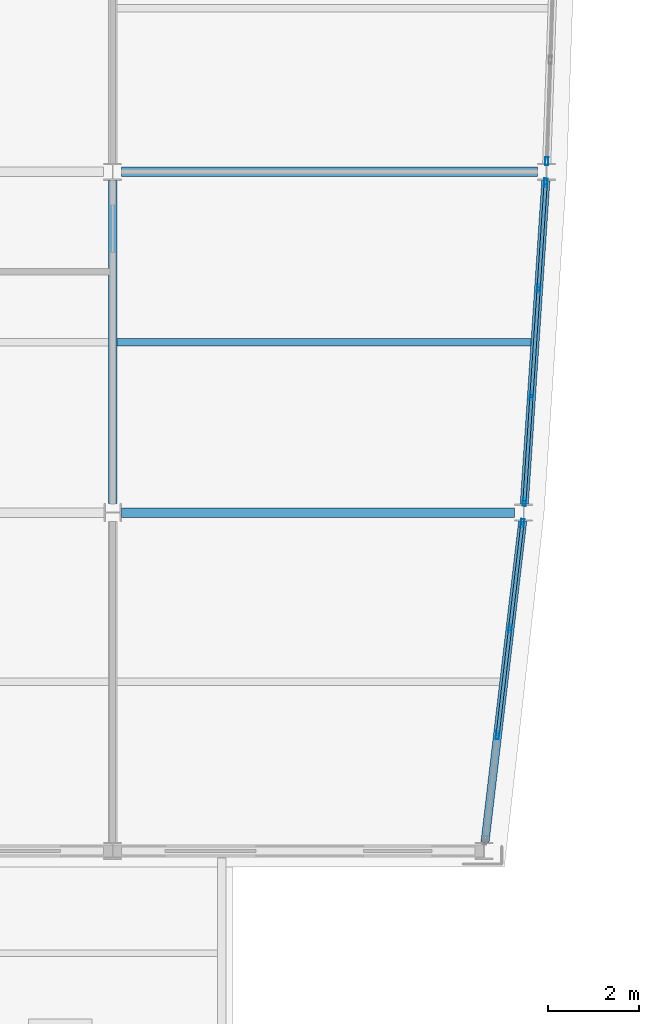
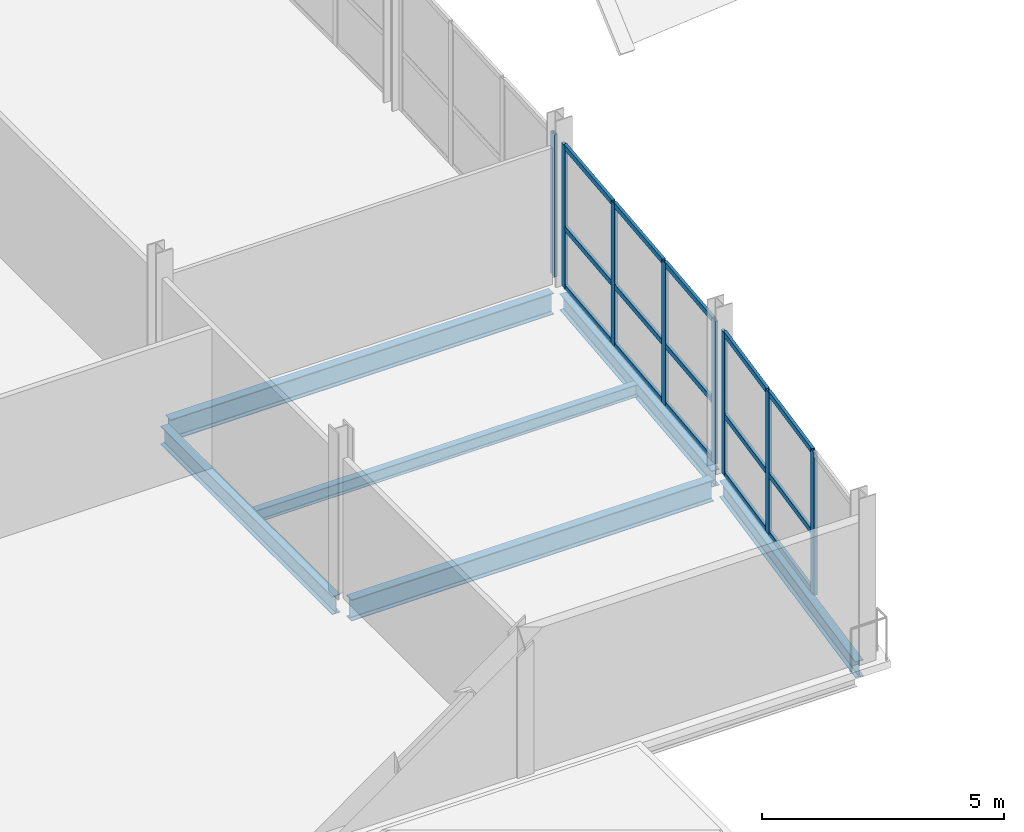
# One storey, part 16 of 65: 23 members, 6 beams, 3 elements without a shape of their own.
"""IFC4 building model written with IfcOpenShell, lengths in metres."""

from ifc_helpers import new_model, si_unit, direction, frame, origin, origin_2d, place, context, subcontext, project, spatial, hollow_rectangle, i_section, extrude, material, layer, layer_set, material_profile, profile_set, type_object, element, aggregate, save


model = new_model("IFC4")

# Units and contexts
model_context = context("Model", 3, precision=1e-05, world=origin(), true_north=direction((0.0, 1.0)))
body_context = subcontext(model_context, "Body", "Model", "MODEL_VIEW")
ifc_project = project(units=[si_unit("LENGTHUNIT", "METRE"), si_unit("AREAUNIT", "SQUARE_METRE"), si_unit("VOLUMEUNIT", "CUBIC_METRE"), si_unit("PLANEANGLEUNIT", "RADIAN"), si_unit("MASSUNIT", "GRAM", prefix="KILO")], contexts=[model_context])

# Site, building, storey
site_placement = place(None, origin())
site = spatial("IfcSite", under=ifc_project, at=site_placement, CompositionType="ELEMENT")
building_placement = place(site_placement, origin())
building = spatial("IfcBuilding", under=site, at=building_placement, Name="Quillay Park Conservatory", CompositionType="ELEMENT")
storey_placement = place(building_placement, frame((0.0, 0.0, 14.10009765625)))
storey = spatial("IfcBuildingStorey", under=building, at=storey_placement, Name="L03", CompositionType="ELEMENT", Elevation=14.10009765625)

# Beam
ifc_material_1 = material(Name="Steel ASTM A992 Grade 50", Category="steel")
ifc_material_profile_1 = material_profile(ifc_material_1, i_section(OverallWidth=0.166015625, OverallDepth=0.31298828125, WebThickness=0.006591796875, FlangeThickness=0.01123046875, FilletRadius=0.010009765625, at=origin_2d()), Name="W310x45")
ifc_profile_set_1 = profile_set([ifc_material_profile_1], Name="Steel ASTM A992 Grade 50")
beam_type_1 = type_object("IfcBeamType", Name="COMPOSITE FLOOR JOIST W310 X45", PredefinedType="JOIST", material=ifc_profile_set_1)
beam_1_placement = place(storey_placement, frame((19.845947265625, 74.25, -0.341552734375), z_axis=(1.0, 0.0, 0.0), x_axis=(0.0, 1.0, 0.0)))
element("IfcBeam", 1, at=beam_1_placement, inside=storey, type_object=beam_type_1, Name="L03 beam BM-J-0278", PredefinedType="JOIST", context=body_context, shape_type="SweptSolid", body=[
    extrude(i_section(OverallWidth=0.166015625, OverallDepth=0.31298828125, WebThickness=0.006591796875, FlangeThickness=0.01123046875, FilletRadius=0.010009765625, at=origin_2d()), origin(), (0.0, 0.0, 1.0), 9.114013671875),
])

# Curtain wall, members
ifc_material_2 = material(Name="Thermally Broken Anodised Aluminium 6063-T6", Category="aluminium")
ifc_layer = layer(ifc_material_2, 0.179931640625)
ifc_layer_set = layer_set([ifc_layer], Name="UNITISED CURTAIN WALL TOWER (Thermally Broken Anodised Aluminium 6063-T6)")
curtain_wall_type = type_object("IfcCurtainWallType", Name="UNITISED CURTAIN WALL TOWER", PredefinedType="USERDEFINED", material=ifc_layer_set)
curtain_wall_1_placement = place(storey_placement, origin())
curtain_wall_1 = element("IfcCurtainWall", 2, at=curtain_wall_1_placement, inside=storey, type_object=curtain_wall_type, Name="L03 Unitised Curtain Wall 028", ObjectType="UNITISED CURTAIN WALL", PredefinedType="USERDEFINED")
ifc_material_3 = material(Name="Thermally Broken Anodised Aluminium 6063-T6", Category="aluminium")
ifc_material_profile_2 = material_profile(ifc_material_3, hollow_rectangle(XDim=0.070068359375, YDim=0.179931640625, WallThickness=0.00390625, at=origin_2d()), Name="AL70x180x4")
ifc_profile_set_2 = profile_set([ifc_material_profile_2], Name="Thermally Broken Anodised Aluminium 6063-T6")
member_type_1 = type_object("IfcMemberType", Name="CURTAIN WALL MULLION 70 X180", PredefinedType="MULLION", material=ifc_profile_set_2)
member_1_placement = place(storey_placement, frame((28.772705078125, 70.2666015625, 0.0), z_axis=(0.0, 0.0, 1.0), x_axis=(0.993172502804, -0.116654959918, 0.0)))
member_1 = element("IfcMember", 3, at=member_1_placement, type_object=member_type_1, Name="CW-T1 mullion 1", PredefinedType="MULLION", context=body_context, shape_type="SweptSolid", body=[
    extrude(hollow_rectangle(XDim=0.070068359375, YDim=0.179931640625, WallThickness=0.00390625, at=origin_2d()), origin(), (0.0, 0.0, 1.0), 3.598876953125),
])
member_2_placement = place(storey_placement, frame((28.50048828125, 67.950439453125, 0.0), z_axis=(0.0, 0.0, 1.0), x_axis=(0.993172502804, -0.116654959918, 0.0)))
member_2 = element("IfcMember", 4, at=member_2_placement, type_object=member_type_1, Name="CW-T1 mullion 2", PredefinedType="MULLION", context=body_context, shape_type="SweptSolid", body=[
    extrude(hollow_rectangle(XDim=0.070068359375, YDim=0.179931640625, WallThickness=0.00390625, at=origin_2d()), origin(), (0.0, 0.0, 1.0), 3.598876953125),
])
member_3_placement = place(storey_placement, frame((28.224365234375, 65.599609375, 0.0), z_axis=(0.0, 0.0, 1.0), x_axis=(0.993172502804, -0.116654959918, 0.0)))
member_3 = element("IfcMember", 5, at=member_3_placement, type_object=member_type_1, Name="CW-T1 mullion 3", PredefinedType="MULLION", context=body_context, shape_type="SweptSolid", body=[
    extrude(hollow_rectangle(XDim=0.070068359375, YDim=0.179931640625, WallThickness=0.00390625, at=origin_2d()), origin(), (0.0, 0.0, 1.0), 3.598876953125),
])

curtain_wall_2_placement = place(storey_placement, origin())
curtain_wall_2 = element("IfcCurtainWall", 6, at=curtain_wall_2_placement, inside=storey, type_object=curtain_wall_type, Name="L03 Unitised Curtain Wall 029", ObjectType="UNITISED CURTAIN WALL", PredefinedType="USERDEFINED")
member_4_placement = place(storey_placement, frame((29.284423828125, 77.765380859375, 0.0), z_axis=(0.0, 0.0, 1.0), x_axis=(0.997785033503, -0.0665208758, 0.0)))
member_4 = element("IfcMember", 7, at=member_4_placement, type_object=member_type_1, Name="CW-T1 mullion 1", PredefinedType="MULLION", context=body_context, shape_type="SweptSolid", body=[
    extrude(hollow_rectangle(XDim=0.070068359375, YDim=0.179931640625, WallThickness=0.00390625, at=origin_2d()), origin(), (0.0, 0.0, 1.0), 3.598876953125),
])
member_5_placement = place(storey_placement, frame((29.12890625, 75.433349609375, 0.0), z_axis=(0.0, 0.0, 1.0), x_axis=(0.997785033503, -0.0665208758, 0.0)))
member_5 = element("IfcMember", 8, at=member_5_placement, type_object=member_type_1, Name="CW-T1 mullion 2", PredefinedType="MULLION", context=body_context, shape_type="SweptSolid", body=[
    extrude(hollow_rectangle(XDim=0.070068359375, YDim=0.179931640625, WallThickness=0.00390625, at=origin_2d()), origin(), (0.0, 0.0, 1.0), 3.598876953125),
])
member_6_placement = place(storey_placement, frame((28.97119140625, 73.066650390625, 0.0), z_axis=(0.0, 0.0, 1.0), x_axis=(0.997785033503, -0.0665208758, 0.0)))
member_6 = element("IfcMember", 9, at=member_6_placement, type_object=member_type_1, Name="CW-T1 mullion 3", PredefinedType="MULLION", context=body_context, shape_type="SweptSolid", body=[
    extrude(hollow_rectangle(XDim=0.070068359375, YDim=0.179931640625, WallThickness=0.00390625, at=origin_2d()), origin(), (0.0, 0.0, 1.0), 3.598876953125),
])
member_7_placement = place(storey_placement, frame((28.815673828125, 70.734619140625, 0.0), z_axis=(0.0, 0.0, 1.0), x_axis=(0.997785033503, -0.0665208758, 0.0)))
member_7 = element("IfcMember", 10, at=member_7_placement, type_object=member_type_1, Name="CW-T1 mullion 4", PredefinedType="MULLION", context=body_context, shape_type="SweptSolid", body=[
    extrude(hollow_rectangle(XDim=0.070068359375, YDim=0.179931640625, WallThickness=0.00390625, at=origin_2d()), origin(), (0.0, 0.0, 1.0), 3.598876953125),
])

# Curtain wall, member
curtain_wall_3_placement = place(storey_placement, origin())
curtain_wall_3 = element("IfcCurtainWall", 11, at=curtain_wall_3_placement, inside=storey, type_object=curtain_wall_type, Name="L03 Unitised Curtain Wall 030", ObjectType="UNITISED CURTAIN WALL", PredefinedType="USERDEFINED")
member_8_placement = place(storey_placement, frame((29.30810546875, 78.23486328125, 0.0), z_axis=(0.0, 0.0, 1.0), x_axis=(0.999397310446, -0.034713338537, 0.0)))
member_8 = element("IfcMember", 12, at=member_8_placement, type_object=member_type_1, Name="CW-T1 mullion 4", PredefinedType="MULLION", context=body_context, shape_type="SweptSolid", body=[
    extrude(hollow_rectangle(XDim=0.070068359375, YDim=0.179931640625, WallThickness=0.00390625, at=origin_2d()), origin(), (0.0, 0.0, 1.0), 3.598876953125),
])
aggregate(curtain_wall_3, [member_8])

# Member
ifc_material_4 = material(Name="Thermally Broken Anodised Aluminium 6063-T6", Category="aluminium")
ifc_material_profile_3 = material_profile(ifc_material_4, hollow_rectangle(XDim=0.070068359375, YDim=0.1298828125, WallThickness=0.003173828125, at=origin_2d()), Name="AL70x130x3.2")
ifc_profile_set_3 = profile_set([ifc_material_profile_3], Name="Thermally Broken Anodised Aluminium 6063-T6")
member_type_2 = type_object("IfcMemberType", Name="CURTAIN WALL TRANSOM 70 X130", PredefinedType="USERDEFINED", material=ifc_profile_set_3)
member_9_placement = place(storey_placement, frame((28.7685546875, 70.23193359375, 0.034912109375), z_axis=(-0.116659662976, -0.993171950386, 0.0), x_axis=(0.993171950386, -0.116659662976, 0.0)))
member_9 = element("IfcMember", 13, at=member_9_placement, type_object=member_type_2, Name="CW-T1 transom 1.1", ObjectType="TRANSOM", PredefinedType="USERDEFINED", context=body_context, shape_type="SweptSolid", body=[
    extrude(hollow_rectangle(XDim=0.070068359375, YDim=0.1298828125, WallThickness=0.003173828125, at=origin_2d()), origin(), (0.0, 0.0, 1.0), 2.26220703125),
])

member_10_placement = place(storey_placement, frame((28.7685546875, 70.23193359375, 1.511474609375), z_axis=(-0.116659662976, -0.993171950386, 0.0), x_axis=(0.993171950386, -0.116659662976, 0.0)))
member_10 = element("IfcMember", 14, at=member_10_placement, type_object=member_type_2, Name="CW-T1 transom 1.2", ObjectType="TRANSOM", PredefinedType="USERDEFINED", context=body_context, shape_type="SweptSolid", body=[
    extrude(hollow_rectangle(XDim=0.070068359375, YDim=0.1298828125, WallThickness=0.003173828125, at=origin_2d()), origin(), (0.0, 0.0, 1.0), 2.26220703125),
])

member_11_placement = place(storey_placement, frame((28.7685546875, 70.23193359375, 3.56396484375), z_axis=(-0.116659662976, -0.993171950386, 0.0), x_axis=(0.993171950386, -0.116659662976, 0.0)))
member_11 = element("IfcMember", 15, at=member_11_placement, type_object=member_type_2, Name="CW-T1 transom 1.3", ObjectType="TRANSOM", PredefinedType="USERDEFINED", context=body_context, shape_type="SweptSolid", body=[
    extrude(hollow_rectangle(XDim=0.070068359375, YDim=0.1298828125, WallThickness=0.003173828125, at=origin_2d()), origin(), (0.0, 0.0, 1.0), 2.26220703125),
])

member_12_placement = place(storey_placement, frame((28.49658203125, 67.915771484375, 0.034912109375), z_axis=(-0.116693255048, -0.993168004029, 0.0), x_axis=(0.993168004029, -0.116693255048, 0.0)))
member_12 = element("IfcMember", 16, at=member_12_placement, type_object=member_type_2, Name="CW-T1 transom 2.1", ObjectType="TRANSOM", PredefinedType="USERDEFINED", context=body_context, shape_type="SweptSolid", body=[
    extrude(hollow_rectangle(XDim=0.070068359375, YDim=0.1298828125, WallThickness=0.003173828125, at=origin_2d()), origin(), (0.0, 0.0, 1.0), 2.297119140625),
])

member_13_placement = place(storey_placement, frame((28.49658203125, 67.915771484375, 1.511474609375), z_axis=(-0.116693255048, -0.993168004029, 0.0), x_axis=(0.993168004029, -0.116693255048, 0.0)))
member_13 = element("IfcMember", 17, at=member_13_placement, type_object=member_type_2, Name="CW-T1 transom 2.2", ObjectType="TRANSOM", PredefinedType="USERDEFINED", context=body_context, shape_type="SweptSolid", body=[
    extrude(hollow_rectangle(XDim=0.070068359375, YDim=0.1298828125, WallThickness=0.003173828125, at=origin_2d()), origin(), (0.0, 0.0, 1.0), 2.297119140625),
])

member_14_placement = place(storey_placement, frame((28.49658203125, 67.915771484375, 3.56396484375), z_axis=(-0.116693255048, -0.993168004029, 0.0), x_axis=(0.993168004029, -0.116693255048, 0.0)))
member_14 = element("IfcMember", 18, at=member_14_placement, type_object=member_type_2, Name="CW-T1 transom 2.3", ObjectType="TRANSOM", PredefinedType="USERDEFINED", context=body_context, shape_type="SweptSolid", body=[
    extrude(hollow_rectangle(XDim=0.070068359375, YDim=0.1298828125, WallThickness=0.003173828125, at=origin_2d()), origin(), (0.0, 0.0, 1.0), 2.297119140625),
])

aggregate(curtain_wall_1, [member_1, member_2, member_3, member_9, member_10, member_11, member_12, member_13, member_14])

member_15_placement = place(storey_placement, frame((29.281982421875, 77.73046875, 0.034912109375), z_axis=(-0.066447531676, -0.997789920542, 0.0), x_axis=(0.997789920542, -0.066447531676, 0.0)))
member_15 = element("IfcMember", 19, at=member_15_placement, type_object=member_type_2, Name="CW-T1 transom 1.1", ObjectType="TRANSOM", PredefinedType="USERDEFINED", context=body_context, shape_type="SweptSolid", body=[
    extrude(hollow_rectangle(XDim=0.070068359375, YDim=0.1298828125, WallThickness=0.003173828125, at=origin_2d()), origin(), (0.0, 0.0, 1.0), 2.26708984375),
])

member_16_placement = place(storey_placement, frame((29.281982421875, 77.73046875, 1.511474609375), z_axis=(-0.066447531676, -0.997789920542, 0.0), x_axis=(0.997789920542, -0.066447531676, 0.0)))
member_16 = element("IfcMember", 20, at=member_16_placement, type_object=member_type_2, Name="CW-T1 transom 1.2", ObjectType="TRANSOM", PredefinedType="USERDEFINED", context=body_context, shape_type="SweptSolid", body=[
    extrude(hollow_rectangle(XDim=0.070068359375, YDim=0.1298828125, WallThickness=0.003173828125, at=origin_2d()), origin(), (0.0, 0.0, 1.0), 2.26708984375),
])

member_17_placement = place(storey_placement, frame((29.281982421875, 77.73046875, 3.56396484375), z_axis=(-0.066447531676, -0.997789920542, 0.0), x_axis=(0.997789920542, -0.066447531676, 0.0)))
member_17 = element("IfcMember", 21, at=member_17_placement, type_object=member_type_2, Name="CW-T1 transom 1.3", ObjectType="TRANSOM", PredefinedType="USERDEFINED", context=body_context, shape_type="SweptSolid", body=[
    extrude(hollow_rectangle(XDim=0.070068359375, YDim=0.1298828125, WallThickness=0.003173828125, at=origin_2d()), origin(), (0.0, 0.0, 1.0), 2.26708984375),
])

member_18_placement = place(storey_placement, frame((29.12646484375, 75.3984375, 0.034912109375), z_axis=(-0.066497892916, -0.997786565473, 0.0), x_axis=(0.997786565473, -0.066497892916, 0.0)))
member_18 = element("IfcMember", 22, at=member_18_placement, type_object=member_type_2, Name="CW-T1 transom 2.1", ObjectType="TRANSOM", PredefinedType="USERDEFINED", context=body_context, shape_type="SweptSolid", body=[
    extrude(hollow_rectangle(XDim=0.070068359375, YDim=0.1298828125, WallThickness=0.003173828125, at=origin_2d()), origin(), (0.0, 0.0, 1.0), 2.302001953125),
])

member_19_placement = place(storey_placement, frame((29.12646484375, 75.3984375, 1.511474609375), z_axis=(-0.066497892916, -0.997786565473, 0.0), x_axis=(0.997786565473, -0.066497892916, 0.0)))
member_19 = element("IfcMember", 23, at=member_19_placement, type_object=member_type_2, Name="CW-T1 transom 2.2", ObjectType="TRANSOM", PredefinedType="USERDEFINED", context=body_context, shape_type="SweptSolid", body=[
    extrude(hollow_rectangle(XDim=0.070068359375, YDim=0.1298828125, WallThickness=0.003173828125, at=origin_2d()), origin(), (0.0, 0.0, 1.0), 2.302001953125),
])

member_20_placement = place(storey_placement, frame((29.12646484375, 75.3984375, 3.56396484375), z_axis=(-0.066497892916, -0.997786565473, 0.0), x_axis=(0.997786565473, -0.066497892916, 0.0)))
member_20 = element("IfcMember", 24, at=member_20_placement, type_object=member_type_2, Name="CW-T1 transom 2.3", ObjectType="TRANSOM", PredefinedType="USERDEFINED", context=body_context, shape_type="SweptSolid", body=[
    extrude(hollow_rectangle(XDim=0.070068359375, YDim=0.1298828125, WallThickness=0.003173828125, at=origin_2d()), origin(), (0.0, 0.0, 1.0), 2.302001953125),
])

member_21_placement = place(storey_placement, frame((28.96875, 73.031494140625, 0.034912109375), z_axis=(-0.066554749564, -0.997782774611, 0.0), x_axis=(0.997782774611, -0.066554749564, 0.0)))
member_21 = element("IfcMember", 25, at=member_21_placement, type_object=member_type_2, Name="CW-T1 transom 3.1", ObjectType="TRANSOM", PredefinedType="USERDEFINED", context=body_context, shape_type="SweptSolid", body=[
    extrude(hollow_rectangle(XDim=0.070068359375, YDim=0.1298828125, WallThickness=0.003173828125, at=origin_2d()), origin(), (0.0, 0.0, 1.0), 2.26708984375),
])

member_22_placement = place(storey_placement, frame((28.96875, 73.031494140625, 1.511474609375), z_axis=(-0.066554749564, -0.997782774611, 0.0), x_axis=(0.997782774611, -0.066554749564, 0.0)))
member_22 = element("IfcMember", 26, at=member_22_placement, type_object=member_type_2, Name="CW-T1 transom 3.2", ObjectType="TRANSOM", PredefinedType="USERDEFINED", context=body_context, shape_type="SweptSolid", body=[
    extrude(hollow_rectangle(XDim=0.070068359375, YDim=0.1298828125, WallThickness=0.003173828125, at=origin_2d()), origin(), (0.0, 0.0, 1.0), 2.26708984375),
])

member_23_placement = place(storey_placement, frame((28.96875, 73.031494140625, 3.56396484375), z_axis=(-0.066554749564, -0.997782774611, 0.0), x_axis=(0.997782774611, -0.066554749564, 0.0)))
member_23 = element("IfcMember", 27, at=member_23_placement, type_object=member_type_2, Name="CW-T1 transom 3.3", ObjectType="TRANSOM", PredefinedType="USERDEFINED", context=body_context, shape_type="SweptSolid", body=[
    extrude(hollow_rectangle(XDim=0.070068359375, YDim=0.1298828125, WallThickness=0.003173828125, at=origin_2d()), origin(), (0.0, 0.0, 1.0), 2.26708984375),
])

aggregate(curtain_wall_2, [member_4, member_5, member_6, member_7, member_15, member_16, member_17, member_18, member_19, member_20, member_21, member_22, member_23])

# Beams
ifc_material_5 = material(Name="Steel ASTM A992 Grade 50", Category="steel")
ifc_material_profile_4 = material_profile(ifc_material_5, i_section(OverallWidth=0.179931640625, OverallDepth=0.4130859375, WebThickness=0.009765625, FlangeThickness=0.01611328125, FilletRadius=0.011962890625, at=origin_2d()), Name="W410x74")
ifc_profile_set_4 = profile_set([ifc_material_profile_4], Name="Steel ASTM A992 Grade 50")
beam_type_2 = type_object("IfcBeamType", Name="PERIMETER SPANDREL BEAM W410 X74", PredefinedType="SPANDREL", material=ifc_profile_set_4)
beam_2_placement = place(storey_placement, frame((27.947265625, 63.23876953125, -0.3916015625), z_axis=(0.116634370571, 0.993174920949, 0.0), x_axis=(-0.993174920949, 0.116634370571, 0.0)))
element("IfcBeam", 28, at=beam_2_placement, inside=storey, type_object=beam_type_2, Name="L03 beam BM-SPE-0267", PredefinedType="SPANDREL", context=body_context, shape_type="SweptSolid", body=[
    extrude(i_section(OverallWidth=0.179931640625, OverallDepth=0.4130859375, WebThickness=0.009765625, FlangeThickness=0.01611328125, FilletRadius=0.011962890625, at=origin_2d()), origin(), (0.0, 0.0, 1.0), 7.12109375),
])
beam_3_placement = place(storey_placement, frame((28.8125, 70.689697265625, -0.3916015625), z_axis=(0.066539445993, 0.997783795282, 0.0), x_axis=(-0.997783795282, 0.066539445993, 0.0)))
element("IfcBeam", 29, at=beam_3_placement, inside=storey, type_object=beam_type_2, Name="L03 beam BM-SPE-0274", PredefinedType="SPANDREL", context=body_context, shape_type="SweptSolid", body=[
    extrude(i_section(OverallWidth=0.179931640625, OverallDepth=0.4130859375, WebThickness=0.009765625, FlangeThickness=0.01611328125, FilletRadius=0.011962890625, at=origin_2d()), origin(), (0.0, 0.0, 1.0), 7.136474609375),
])
ifc_material_6 = material(Name="Steel ASTM A992 Grade 50", Category="steel")
ifc_material_profile_5 = material_profile(ifc_material_6, i_section(OverallWidth=0.19189453125, OverallDepth=0.462890625, WebThickness=0.010498046875, FlangeThickness=0.017578125, FilletRadius=0.012939453125, at=origin_2d()), Name="W460x89")
ifc_profile_set_5 = profile_set([ifc_material_profile_5], Name="Steel ASTM A992 Grade 50")
beam_type_3 = type_object("IfcBeamType", Name="PRIMARY FLOOR GIRDER W460 X89", PredefinedType="BEAM", material=ifc_profile_set_5)
beam_4_placement = place(storey_placement, frame((19.75, 70.697509765625, -0.41650390625), z_axis=(0.0, 1.0, 0.0), x_axis=(-1.0, 0.0, 0.0)))
element("IfcBeam", 30, at=beam_4_placement, inside=storey, type_object=beam_type_3, Name="L03 beam BM-GNS-0276", PredefinedType="BEAM", context=body_context, shape_type="SweptSolid", body=[
    extrude(i_section(OverallWidth=0.19189453125, OverallDepth=0.462890625, WebThickness=0.010498046875, FlangeThickness=0.017578125, FilletRadius=0.012939453125, at=origin_2d()), origin(), (0.0, 0.0, 1.0), 7.112548828125),
])
ifc_material_7 = material(Name="Steel ASTM A992 Grade 50", Category="steel")
ifc_material_profile_6 = material_profile(ifc_material_7, i_section(OverallWidth=0.2109375, OverallDepth=0.5390625, WebThickness=0.01171875, FlangeThickness=0.018798828125, FilletRadius=0.013916015625, at=origin_2d()), Name="W530x109")
ifc_profile_set_6 = profile_set([ifc_material_profile_6], Name="Steel ASTM A992 Grade 50")
beam_type_4 = type_object("IfcBeamType", Name="PRIMARY FLOOR GIRDER W530 X109", PredefinedType="BEAM", material=ifc_profile_set_6)
beam_5_placement = place(storey_placement, frame((19.93994140625, 70.5, -0.45458984375), z_axis=(1.0, 0.0, 0.0), x_axis=(0.0, 1.0, 0.0)))
element("IfcBeam", 31, at=beam_5_placement, inside=storey, type_object=beam_type_4, Name="L03 beam BM-G-0249", PredefinedType="BEAM", context=body_context, shape_type="SweptSolid", body=[
    extrude(i_section(OverallWidth=0.2109375, OverallDepth=0.5390625, WebThickness=0.01171875, FlangeThickness=0.018798828125, FilletRadius=0.013916015625, at=origin_2d()), origin(), (0.0, 0.0, 1.0), 8.66259765625),
])
beam_6_placement = place(storey_placement, frame((19.947509765625, 78.0, -0.45458984375), z_axis=(1.0, 0.0, 0.0), x_axis=(0.0, 1.0, 0.0)))
element("IfcBeam", 32, at=beam_6_placement, inside=storey, type_object=beam_type_4, Name="L03 beam BM-G-0252", PredefinedType="BEAM", context=body_context, shape_type="SweptSolid", body=[
    extrude(i_section(OverallWidth=0.2109375, OverallDepth=0.5390625, WebThickness=0.01171875, FlangeThickness=0.018798828125, FilletRadius=0.013916015625, at=origin_2d()), origin(), (0.0, 0.0, 1.0), 9.155029296875),
])

save(model, "model.ifc")
